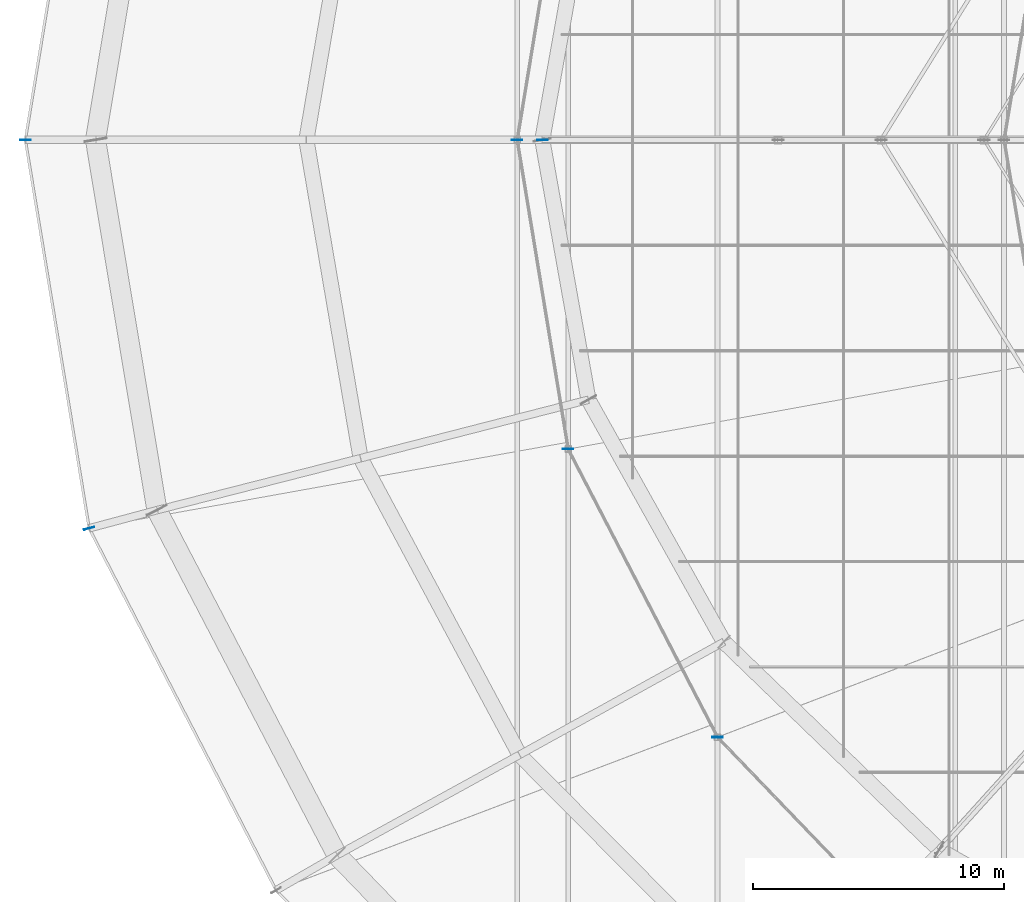
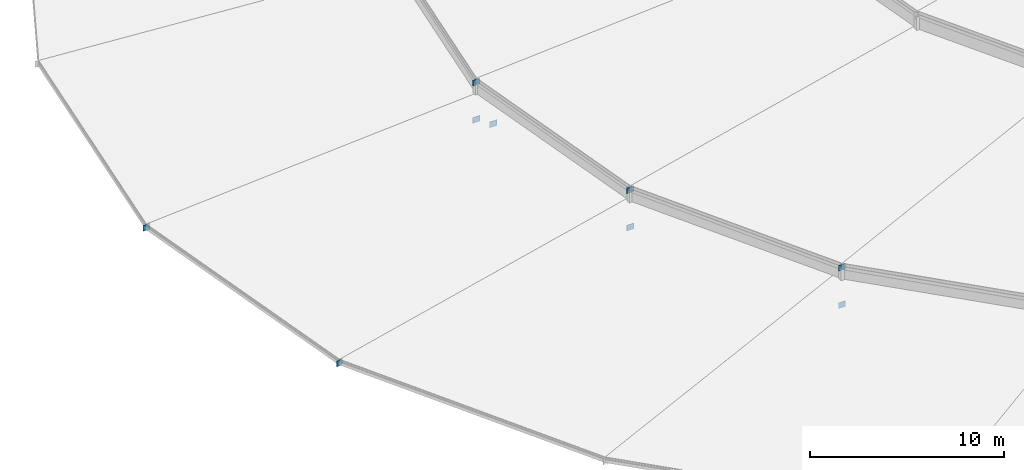
# One storey, part 161 of 184: 9 plates.
"""IFC4 building model written with IfcOpenShell, lengths in metres."""

from ifc_helpers import new_model, si_unit, direction, frame, origin, origin_2d, place, context, subcontext, project, spatial, rectangle, extrude, material, layer, layer_set, type_object, element, save


model = new_model("IFC4")

# Units and contexts
model_context = context("Model", 3, precision=1e-05, world=origin(), true_north=direction((0.0, 1.0)))
body_context = subcontext(model_context, "Body", "Model", "MODEL_VIEW")
ifc_project = project(units=[si_unit("LENGTHUNIT", "METRE"), si_unit("AREAUNIT", "SQUARE_METRE"), si_unit("VOLUMEUNIT", "CUBIC_METRE"), si_unit("PLANEANGLEUNIT", "RADIAN"), si_unit("MASSUNIT", "GRAM", prefix="KILO")], contexts=[model_context])

# Site, building, storey
site_placement = place(None, origin())
site = spatial("IfcSite", under=ifc_project, at=site_placement, CompositionType="ELEMENT")
building_placement = place(site_placement, origin())
building = spatial("IfcBuilding", under=site, at=building_placement, Name="Kalgoora Escarpment Arena", CompositionType="ELEMENT")
storey_placement = place(building_placement, frame((0.0, 0.0, 27.60009765625)))
storey = spatial("IfcBuildingStorey", under=building, at=storey_placement, Name="Roof Level", CompositionType="ELEMENT", Elevation=27.60009765625)

# Plates
ifc_material = material(Name="Structural steel Grade 350 (350 MPa)", Category="steel")
ifc_layer = layer(ifc_material, 0.02490234375)
ifc_layer_set = layer_set([ifc_layer], Name="PLT-GUSSET-25")
plate_type = type_object("IfcPlateType", Name="PLT-GUSSET-25", PredefinedType="USERDEFINED", material=ifc_layer_set)
for number, where, z_axis, x_axis, name in (
    (1, (38.39990234375, 64.0, -1.88037109375), (0.0, 0.0, 1.0), (1.0, 0.0, 0.0), "Brace and post end gusset plate 111"),
    (2, (17.800048828125, 64.0, -1.18017578125), (0.0, 0.0, 1.0), (-1.0, 0.0, 0.0), "Brace and post end gusset plate 167"),
    (3, (20.341796875, 48.522705078125, -1.18017578125), (0.0, 0.0, 1.0), (-0.965925826289, -0.258819045103, 0.0), "Brace and post end gusset plate 168"),
    (4, (37.39990234375, 64.0, -1.26025390625), (0.0, 0.0, 1.0), (1.0, 0.0, 0.0), "Brace and post end gusset plate 203"),
    (5, (37.39990234375, 64.0, 1.0849609375), (0.0, 0.0, 1.0), (1.0, 0.0, 0.0), "Brace and post end gusset plate 204"),
    (6, (39.430908203125, 51.68017578125, -1.26025390625), (0.0, 0.0, 1.0), (1.0, 0.0, 0.0), "Brace and post end gusset plate 205"),
    (7, (39.430908203125, 51.68017578125, 1.0849609375), (0.0, 0.0, 1.0), (1.0, 0.0, 0.0), "Brace and post end gusset plate 206"),
    (8, (45.385009765625, 40.199951171875, -1.26025390625), (0.0, 0.0, 1.0), (1.0, 0.0, 0.0), "Brace and post end gusset plate 207"),
    (9, (45.385009765625, 40.199951171875, 1.0849609375), (0.0, 0.0, 1.0), (1.0, 0.0, 0.0), "Brace and post end gusset plate 208"),
):
    element("IfcPlate", number, at=place(storey_placement, frame(where, z_axis=z_axis, x_axis=x_axis)), inside=storey, type_object=plate_type, Name=name, ObjectType="FLANGE PLATE", PredefinedType="USERDEFINED", context=body_context, shape_type="SweptSolid", body=[
        extrude(rectangle(XDim=0.419921875, YDim=0.02490234375, at=origin_2d()), origin(), (0.0, 0.0, 1.0), 0.360107421875),
    ])

save(model, "model.ifc")
